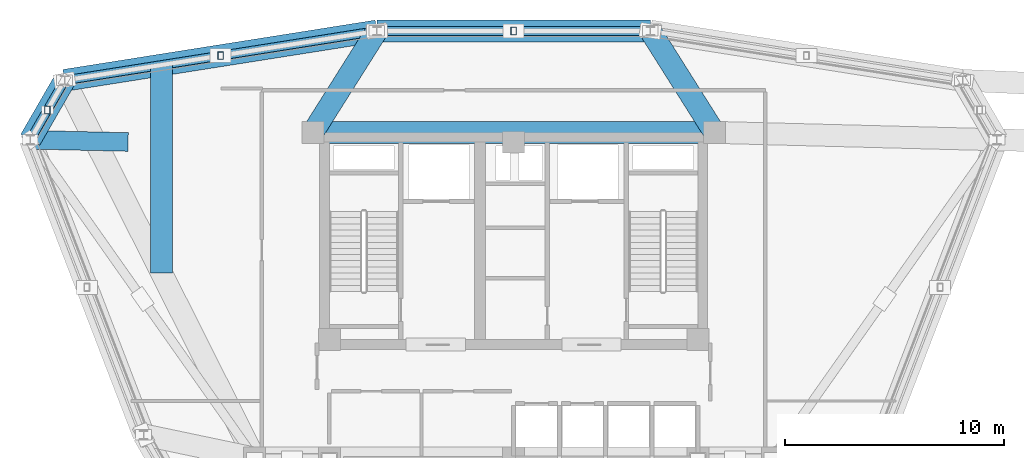
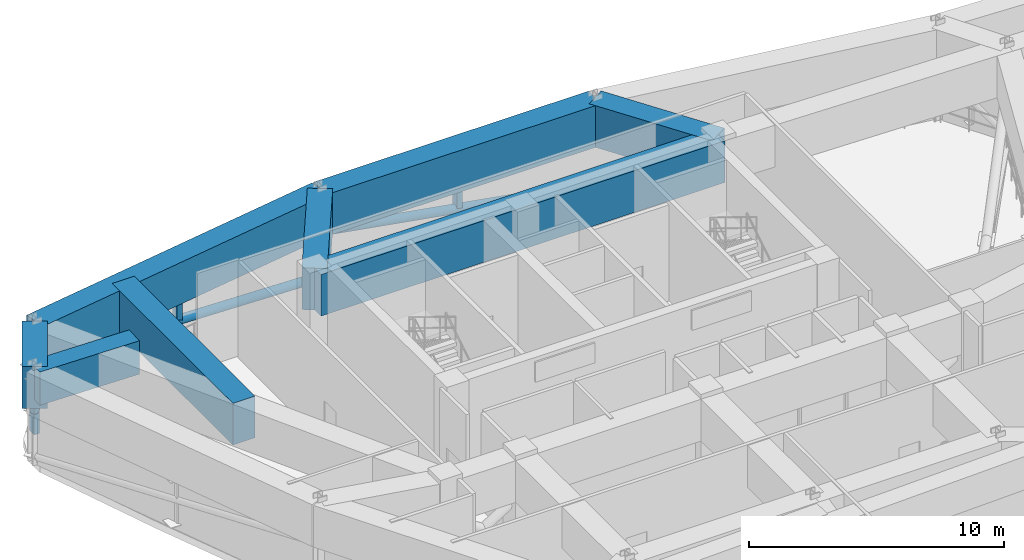
# One storey, part 5 of 12: 8 beams, 6 members.
"""IFC4 building model written with IfcOpenShell, lengths in metres."""

from ifc_helpers import new_model, si_unit, derived_unit, direction, frame, origin, origin_2d, place, context, subcontext, project, spatial, rectangle, hollow_rectangle, hollow_circle, extrude, source, transform, mapped, material, material_profile, profile_set, type_object, element, save


model = new_model("IFC4")

# Units and contexts
model_context = context("Model", 3, precision=1e-05, world=origin(), true_north=direction((0.0, 1.0)))
body_context = subcontext(model_context, "Body", "Model", "MODEL_VIEW")
ifc_project = project(units=[si_unit("LENGTHUNIT", "METRE"), si_unit("AREAUNIT", "SQUARE_METRE"), si_unit("VOLUMEUNIT", "CUBIC_METRE"), si_unit("PLANEANGLEUNIT", "RADIAN"), si_unit("MASSUNIT", "GRAM", prefix="KILO"), derived_unit("THERMALTRANSMITTANCEUNIT", [(si_unit("POWERUNIT", "WATT"), 1), (si_unit("LENGTHUNIT", "METRE"), -2), (si_unit("THERMODYNAMICTEMPERATUREUNIT", "KELVIN"), -1)])], contexts=[model_context])

# Site, building, storey
site_placement = place(None, origin())
site = spatial("IfcSite", under=ifc_project, at=site_placement, CompositionType="ELEMENT")
building_placement = place(site_placement, origin())
building = spatial("IfcBuilding", under=site, at=building_placement, Name="Korsvarv Bourse and Concert Hall", CompositionType="ELEMENT")
storey_placement = place(building_placement, frame((0.0, 0.0, 201.0)))
storey = spatial("IfcBuildingStorey", under=building, at=storey_placement, Name="L52", CompositionType="ELEMENT", Elevation=201.0)

# Beam
ifc_material_1 = material(Name="Concrete C60/75", Category="concrete")
ifc_material_profile_1 = material_profile(ifc_material_1, rectangle(XDim=1.0, YDim=2.0, at=origin_2d()), Name="RC-BM 1000x2000")
ifc_profile_set_1 = profile_set([ifc_material_profile_1], Name="Concrete C60/75")
beam_type_1 = type_object("IfcBeamType", Name="BM-TR1", PredefinedType="BEAM", material=ifc_profile_set_1)
shared_shape_1 = source(origin(), body_context, "Body", "SweptSolid", [
    extrude(rectangle(XDim=1.0, YDim=2.0, at=origin_2d()), origin(), (0.0, 0.0, 1.0), 18.2998046875),
])
beam_1_placement = place(storey_placement, frame((26.85009765625, 47.25, 3.570068359375), z_axis=(1.0, 0.0, 0.0), x_axis=(0.0, 1.0, 0.0)))
element("IfcBeam", 1, at=beam_1_placement, inside=storey, type_object=beam_type_1, Name="L52 beam B-TR1", PredefinedType="BEAM", context=body_context, shape_type="MappedRepresentation", body=[
    mapped(shared_shape_1, transform((0.0, 0.0, 0.0), scale=1.0)),
])

# Members
ifc_material_2 = material(Name="Steel S355", Category="steel")
ifc_material_profile_2 = material_profile(ifc_material_2, hollow_rectangle(XDim=0.25, YDim=0.35009765625, WallThickness=0.012451171875, at=origin_2d()), Name="RHS 350x250x12.5")
ifc_profile_set_2 = profile_set([ifc_material_profile_2], Name="Steel S355")
member_type_1 = type_object("IfcMemberType", Name="MEM-RHS350", PredefinedType="STRUT", material=ifc_profile_set_2)
shared_shape_2 = source(origin(), body_context, "Body", "SweptSolid", [
    extrude(hollow_rectangle(XDim=0.25, YDim=0.35009765625, WallThickness=0.012451171875, at=origin_2d()), origin(), (0.0, 0.0, 1.0), 2.169921875),
])
for number, where, z_axis, x_axis, name in (
    (2, (36.0, 51.871826171875, 0.35009765625), (0.0, 0.0, 1.0), (1.0, 0.0, 0.0), "L52 Perimeter Belt Truss Strut 3"),
    (3, (22.650634765625, 50.747314453125, 0.35009765625), (0.0, 0.0, 1.0), (1.0, 0.0, 0.0), "L52 Perimeter Belt Truss Strut 4"),
    (4, (14.752197265625, 48.267333984375, 0.35009765625), (0.0, 0.0, 1.0), (1.0, 0.0, 0.0), "L52 Perimeter Belt Truss Strut 5"),
):
    element("IfcMember", number, at=place(storey_placement, frame(where, z_axis=z_axis, x_axis=x_axis)), inside=storey, type_object=member_type_1, Name=name, PredefinedType="STRUT", context=body_context, shape_type="MappedRepresentation", body=[
        mapped(shared_shape_2, transform((0.0, 0.0, 0.0), scale=1.0)),
    ])

# Beams
shared_shape_3 = source(origin(), body_context, "Body", "SweptSolid", [
    extrude(rectangle(XDim=1.0, YDim=2.0, at=origin_2d()), origin(), (0.0, 0.0, 1.0), 3.12939453125),
])
beam_2_placement = place(storey_placement, frame((15.534423828125, 49.62255859375, 3.570068359375), z_axis=(-0.499990325971, -0.866030989016, 0.0), x_axis=(0.866030989016, -0.499990325971, 0.0)))
element("IfcBeam", 5, at=beam_2_placement, inside=storey, type_object=beam_type_1, Name="L52 beam B-TR1", PredefinedType="BEAM", context=body_context, shape_type="MappedRepresentation", body=[
    mapped(shared_shape_3, transform((0.0, 0.0, 0.0), scale=1.0)),
])
shared_shape_4 = source(origin(), body_context, "Body", "SweptSolid", [
    extrude(rectangle(XDim=1.0, YDim=2.0, at=origin_2d()), origin(), (0.0, 0.0, 1.0), 14.4091796875),
])
beam_3_placement = place(storey_placement, frame((29.766845703125, 51.871826171875, 3.570068359375), z_axis=(-0.987741112202, -0.156100913728, 0.0), x_axis=(0.156100913728, -0.987741112202, 0.0)))
element("IfcBeam", 6, at=beam_3_placement, inside=storey, type_object=beam_type_1, Name="L52 beam B-TR1", PredefinedType="BEAM", context=body_context, shape_type="MappedRepresentation", body=[
    mapped(shared_shape_4, transform((0.0, 0.0, 0.0), scale=1.0)),
])
shared_shape_5 = source(origin(), body_context, "Body", "SweptSolid", [
    extrude(rectangle(XDim=1.0, YDim=2.0, at=origin_2d()), origin(), (0.0, 0.0, 1.0), 12.46630859375),
])
beam_4_placement = place(storey_placement, frame((42.233154296875, 51.871826171875, 3.570068359375), z_axis=(-1.0, 0.0, 0.0), x_axis=(0.0, -1.0, 0.0)))
element("IfcBeam", 7, at=beam_4_placement, inside=storey, type_object=beam_type_1, Name="L52 beam B-TR1", PredefinedType="BEAM", context=body_context, shape_type="MappedRepresentation", body=[
    mapped(shared_shape_5, transform((0.0, 0.0, 0.0), scale=1.0)),
])
shared_shape_6 = source(origin(), body_context, "Body", "SweptSolid", [
    extrude(rectangle(XDim=1.0, YDim=2.0, at=origin_2d()), origin(), (0.0, 0.0, 1.0), 5.46533203125),
])
for number, where, z_axis, x_axis, name in (
    (8, (42.233154296875, 51.871826171875, 3.570068359375), (0.533692109553, -0.845678858788, 0.0), (0.845678858788, 0.533692109553, 0.0), "L52 beam B-TR1"),
    (9, (29.766845703125, 51.871826171875, 3.570068359375), (-0.533692109553, -0.845678858788, 0.0), (0.845678858788, -0.533692109553, 0.0), "L52 beam B-TR1"),
):
    element("IfcBeam", number, at=place(storey_placement, frame(where, z_axis=z_axis, x_axis=x_axis)), inside=storey, type_object=beam_type_1, Name=name, PredefinedType="BEAM", context=body_context, shape_type="MappedRepresentation", body=[
        mapped(shared_shape_6, transform((0.0, 0.0, 0.0), scale=1.0)),
    ])
shared_shape_7 = source(origin(), body_context, "Body", "SweptSolid", [
    extrude(rectangle(XDim=1.0, YDim=2.0, at=origin_2d()), origin(), (0.0, 0.0, 1.0), 9.4775390625),
])
beam_5_placement = place(storey_placement, frame((19.951904296875, 40.843017578125, 3.570068359375), z_axis=(0.0, 1.0, 0.0), x_axis=(-1.0, 0.0, 0.0)))
element("IfcBeam", 10, at=beam_5_placement, inside=storey, type_object=beam_type_1, Name="L52 Block-Shift Transverse Transfer Girder 5", PredefinedType="BEAM", context=body_context, shape_type="MappedRepresentation", body=[
    mapped(shared_shape_7, transform((0.0, 0.0, 0.0), scale=1.0)),
])
ifc_material_3 = material(Name="Concrete C55/67", Category="concrete")
ifc_material_profile_3 = material_profile(ifc_material_3, rectangle(XDim=0.85009765625, YDim=1.60009765625, at=origin_2d()), Name="RC-BM 850x1600")
ifc_profile_set_3 = profile_set([ifc_material_profile_3], Name="Concrete C55/67")
beam_type_2 = type_object("IfcBeamType", Name="BM-TR1B", PredefinedType="BEAM", material=ifc_profile_set_3)
shared_shape_8 = source(origin(), body_context, "Body", "SweptSolid", [
    extrude(rectangle(XDim=0.85009765625, YDim=1.60009765625, at=origin_2d()), origin(), (0.0, 0.0, 1.0), 4.46142578125),
])
beam_6_placement = place(storey_placement, frame((13.9697265625, 46.912353515625, 3.77001953125), z_axis=(0.999743330713, -0.02265552241, 0.0), x_axis=(0.02265552241, 0.999743330713, 0.0)))
element("IfcBeam", 11, at=beam_6_placement, inside=storey, type_object=beam_type_2, Name="L52 Block-Shift Transfer Girder 6", PredefinedType="BEAM", context=body_context, shape_type="MappedRepresentation", body=[
    mapped(shared_shape_8, transform((0.0, 0.0, 0.0), scale=1.0)),
])

# Members
ifc_material_profile_4 = material_profile(ifc_material_2, hollow_circle(Radius=0.203125, WallThickness=0.01611328125, at=origin_2d()), Name="CHS 406.4x16")
ifc_profile_set_4 = profile_set([ifc_material_profile_4], Name="Steel S355")
member_type_2 = type_object("IfcMemberType", Name="MEM-CHS406", PredefinedType="BRACE", material=ifc_profile_set_4)
shared_shape_9 = source(origin(), body_context, "Body", "SweptSolid", [
    extrude(hollow_circle(Radius=0.203125, WallThickness=0.01611328125, at=origin_2d()), origin(), (0.0, 0.0, 1.0), 3.80810546875),
])
member_1_placement = place(storey_placement, frame((15.534423828125, 49.62255859375, 0.35009765625), z_axis=(-0.410880588331, -0.711684414272, 0.569809122966), x_axis=(0.866030989016, -0.499990325971, 0.0)))
element("IfcMember", 12, at=member_1_placement, inside=storey, type_object=member_type_2, Name="L52 Perimeter Belt Truss Diagonal 5", PredefinedType="BRACE", context=body_context, shape_type="MappedRepresentation", body=[
    mapped(shared_shape_9, transform((0.0, 0.0, 0.0), scale=1.0)),
])
shared_shape_10 = source(origin(), body_context, "Body", "SweptSolid", [
    extrude(hollow_circle(Radius=0.203125, WallThickness=0.01611328125, at=origin_2d()), origin(), (0.0, 0.0, 1.0), 14.571533203125),
])
member_2_placement = place(storey_placement, frame((29.766845703125, 51.871826171875, 0.35009765625), z_axis=(-0.976727779385, -0.154360385472, 0.148915131453), x_axis=(0.156100913728, -0.987741112202, 0.0)))
element("IfcMember", 13, at=member_2_placement, inside=storey, type_object=member_type_2, Name="L52 Perimeter Belt Truss Diagonal 4", PredefinedType="BRACE", context=body_context, shape_type="MappedRepresentation", body=[
    mapped(shared_shape_10, transform((0.0, 0.0, 0.0), scale=1.0)),
])
shared_shape_11 = source(origin(), body_context, "Body", "SweptSolid", [
    extrude(hollow_circle(Radius=0.203125, WallThickness=0.01611328125, at=origin_2d()), origin(), (0.0, 0.0, 1.0), 12.65380859375),
])
member_3_placement = place(storey_placement, frame((42.233154296875, 51.871826171875, 0.35009765625), z_axis=(-0.985186821592, 0.0, 0.171484479071), x_axis=(0.0, -1.0, 0.0)))
element("IfcMember", 14, at=member_3_placement, inside=storey, type_object=member_type_2, Name="L52 Perimeter Belt Truss Diagonal 3", PredefinedType="BRACE", context=body_context, shape_type="MappedRepresentation", body=[
    mapped(shared_shape_11, transform((0.0, 0.0, 0.0), scale=1.0)),
])

save(model, "model.ifc")
